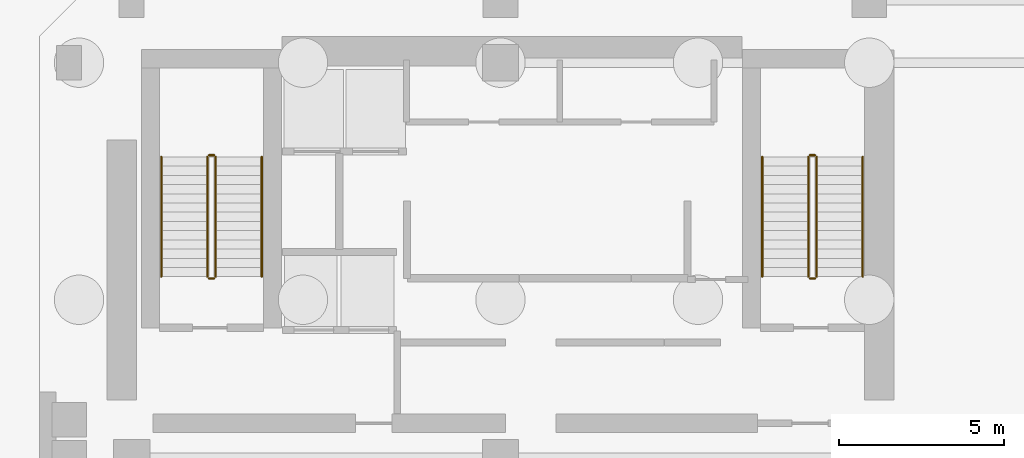
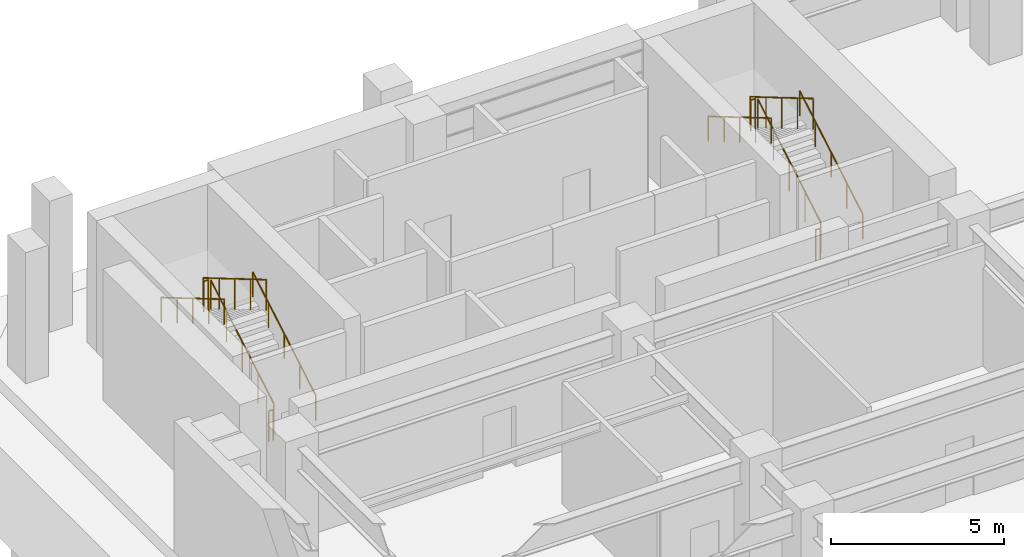
# One storey, part 12 of 13: 12 railings.
"""IFC4 building model written with IfcOpenShell, lengths in metres."""

from ifc_helpers import new_model, si_unit, direction, frame, origin, origin_2d, place, context, subcontext, project, spatial, circle, extrude, material, type_object, element, save


model = new_model("IFC4")

# Units and contexts
model_context = context("Model", 3, precision=1e-05, world=origin(), true_north=direction((0.0, 1.0)))
body_context = subcontext(model_context, "Body", "Model", "MODEL_VIEW")
ifc_project = project(units=[si_unit("LENGTHUNIT", "METRE"), si_unit("AREAUNIT", "SQUARE_METRE"), si_unit("VOLUMEUNIT", "CUBIC_METRE"), si_unit("PLANEANGLEUNIT", "RADIAN"), si_unit("MASSUNIT", "GRAM", prefix="KILO")], contexts=[model_context])

# Site, building, storey
site_placement = place(None, origin())
site = spatial("IfcSite", under=ifc_project, at=site_placement, CompositionType="ELEMENT")
building_placement = place(site_placement, origin())
building = spatial("IfcBuilding", under=site, at=building_placement, Name="Kefirva Bronze Tower", CompositionType="ELEMENT")
storey_placement = place(building_placement, frame((0.0, 0.0, -9.239990234375)))
storey = spatial("IfcBuildingStorey", under=building, at=storey_placement, Name="B2", CompositionType="ELEMENT", Elevation=-9.239990234375)

# Railings
ifc_material = material(Name="Stainless steel 316", Category="steel")
railing_type_1 = type_object("IfcRailingType", Name="Interior Stair Guardrail 1100mm", PredefinedType="GUARDRAIL", material=ifc_material)
railing_1_placement = place(storey_placement, frame((3.35009765625, 38.699951171875, 0.1650390625)))
element("IfcRailing", 1, at=railing_1_placement, inside=storey, type_object=railing_type_1, Name="B2 ST-1 stair guard 1", PredefinedType="GUARDRAIL", context=body_context, shape_type="SweptSolid", body=[
    extrude(circle(Radius=0.02392578125, at=origin_2d()), frame((0.0, 0.0, 1.076171875), z_axis=(0.0, 0.861544779993, 0.507681585313), x_axis=(-1.0, 0.0, 0.0)), (0.0, 0.0, 1.0), 4.22509765625),
    extrude(circle(Radius=0.02099609375, at=origin_2d()), origin(), (0.0, 0.0, 1.0), 1.052001953125),
    extrude(circle(Radius=0.02099609375, at=origin_2d()), frame((0.0, 0.91015625, 0.5361328125)), (0.0, 0.0, 1.0), 1.052001953125),
    extrude(circle(Radius=0.02099609375, at=origin_2d()), frame((0.0, 1.820068359375, 1.072509765625)), (0.0, 0.0, 1.0), 1.052001953125),
    extrude(circle(Radius=0.02099609375, at=origin_2d()), frame((0.0, 2.72998046875, 1.60888671875)), (0.0, 0.0, 1.0), 1.052001953125),
    extrude(circle(Radius=0.02099609375, at=origin_2d()), frame((0.0, 3.64013671875, 2.14501953125)), (0.0, 0.0, 1.0), 1.052001953125),
])
railing_2_placement = place(storey_placement, frame((3.300048828125, 42.389892578125, 2.31005859375)))
element("IfcRailing", 2, at=railing_2_placement, inside=storey, type_object=railing_type_1, Name="B2 ST-1 stair guard 2", PredefinedType="GUARDRAIL", context=body_context, shape_type="SweptSolid", body=[
    extrude(circle(Radius=0.02392578125, at=origin_2d()), frame((0.0, 0.0, 1.076171875), z_axis=(-1.0, 0.0, 0.0), x_axis=(0.0, -1.0, 0.0)), (0.0, 0.0, 1.0), 0.150146484375),
    extrude(circle(Radius=0.02099609375, at=origin_2d()), origin(), (0.0, 0.0, 1.0), 1.052001953125),
    extrude(circle(Radius=0.02099609375, at=origin_2d()), frame((-0.150146484375, 0.0, 0.0)), (0.0, 0.0, 1.0), 1.052001953125),
])
railing_3_placement = place(storey_placement, frame((3.10009765625, 42.340087890625, 2.47509765625)))
element("IfcRailing", 3, at=railing_3_placement, inside=storey, type_object=railing_type_1, Name="B2 ST-1 stair guard 3", PredefinedType="GUARDRAIL", context=body_context, shape_type="SweptSolid", body=[
    extrude(circle(Radius=0.02392578125, at=origin_2d()), frame((0.0, 0.0, 1.076171875), z_axis=(0.0, -0.861570053405, 0.507638693438), x_axis=(1.0, 0.0, 0.0)), (0.0, 0.0, 1.0), 4.22509765625),
    extrude(circle(Radius=0.02099609375, at=origin_2d()), origin(), (0.0, 0.0, 1.0), 1.052001953125),
    extrude(circle(Radius=0.02099609375, at=origin_2d()), frame((0.0, -0.91015625, 0.5361328125)), (0.0, 0.0, 1.0), 1.052001953125),
    extrude(circle(Radius=0.02099609375, at=origin_2d()), frame((0.0, -1.820068359375, 1.072265625)), (0.0, 0.0, 1.0), 1.052001953125),
    extrude(circle(Radius=0.02099609375, at=origin_2d()), frame((0.0, -2.72998046875, 1.608642578125)), (0.0, 0.0, 1.0), 1.052001953125),
    extrude(circle(Radius=0.02099609375, at=origin_2d()), frame((0.0, -3.64013671875, 2.144775390625)), (0.0, 0.0, 1.0), 1.052001953125),
])
railing_4_placement = place(storey_placement, frame((3.300048828125, 38.64990234375, 0.0)))
element("IfcRailing", 4, at=railing_4_placement, inside=storey, type_object=railing_type_1, Name="B2 ST-1 stair guard 4", PredefinedType="GUARDRAIL", context=body_context, shape_type="SweptSolid", body=[
    extrude(circle(Radius=0.02392578125, at=origin_2d()), frame((0.0, 0.0, 1.076171875), z_axis=(-1.0, 0.0, 0.0), x_axis=(0.0, -1.0, 0.0)), (0.0, 0.0, 1.0), 0.150146484375),
    extrude(circle(Radius=0.02099609375, at=origin_2d()), origin(), (0.0, 0.0, 1.0), 1.052001953125),
    extrude(circle(Radius=0.02099609375, at=origin_2d()), frame((-0.150146484375, 0.0, 0.0)), (0.0, 0.0, 1.0), 1.052001953125),
])
railing_5_placement = place(storey_placement, frame((21.60009765625, 38.699951171875, 0.1650390625)))
element("IfcRailing", 5, at=railing_5_placement, inside=storey, type_object=railing_type_1, Name="B2 ST-2 stair guard 1", PredefinedType="GUARDRAIL", context=body_context, shape_type="SweptSolid", body=[
    extrude(circle(Radius=0.02392578125, at=origin_2d()), frame((0.0, 0.0, 1.076171875), z_axis=(0.0, 0.861544779993, 0.507681585313), x_axis=(-1.0, 0.0, 0.0)), (0.0, 0.0, 1.0), 4.22509765625),
    extrude(circle(Radius=0.02099609375, at=origin_2d()), origin(), (0.0, 0.0, 1.0), 1.052001953125),
    extrude(circle(Radius=0.02099609375, at=origin_2d()), frame((0.0, 0.91015625, 0.5361328125)), (0.0, 0.0, 1.0), 1.052001953125),
    extrude(circle(Radius=0.02099609375, at=origin_2d()), frame((0.0, 1.820068359375, 1.072509765625)), (0.0, 0.0, 1.0), 1.052001953125),
    extrude(circle(Radius=0.02099609375, at=origin_2d()), frame((0.0, 2.72998046875, 1.60888671875)), (0.0, 0.0, 1.0), 1.052001953125),
    extrude(circle(Radius=0.02099609375, at=origin_2d()), frame((0.0, 3.64013671875, 2.14501953125)), (0.0, 0.0, 1.0), 1.052001953125),
])
railing_6_placement = place(storey_placement, frame((21.550048828125, 42.389892578125, 2.31005859375)))
element("IfcRailing", 6, at=railing_6_placement, inside=storey, type_object=railing_type_1, Name="B2 ST-2 stair guard 2", PredefinedType="GUARDRAIL", context=body_context, shape_type="SweptSolid", body=[
    extrude(circle(Radius=0.02392578125, at=origin_2d()), frame((0.0, 0.0, 1.076171875), z_axis=(-1.0, 0.0, 0.0), x_axis=(0.0, -1.0, 0.0)), (0.0, 0.0, 1.0), 0.150146484375),
    extrude(circle(Radius=0.02099609375, at=origin_2d()), origin(), (0.0, 0.0, 1.0), 1.052001953125),
    extrude(circle(Radius=0.02099609375, at=origin_2d()), frame((-0.150146484375, 0.0, 0.0)), (0.0, 0.0, 1.0), 1.052001953125),
])
railing_7_placement = place(storey_placement, frame((21.35009765625, 42.340087890625, 2.47509765625)))
element("IfcRailing", 7, at=railing_7_placement, inside=storey, type_object=railing_type_1, Name="B2 ST-2 stair guard 3", PredefinedType="GUARDRAIL", context=body_context, shape_type="SweptSolid", body=[
    extrude(circle(Radius=0.02392578125, at=origin_2d()), frame((0.0, 0.0, 1.076171875), z_axis=(0.0, -0.861570053405, 0.507638693438), x_axis=(1.0, 0.0, 0.0)), (0.0, 0.0, 1.0), 4.22509765625),
    extrude(circle(Radius=0.02099609375, at=origin_2d()), origin(), (0.0, 0.0, 1.0), 1.052001953125),
    extrude(circle(Radius=0.02099609375, at=origin_2d()), frame((0.0, -0.91015625, 0.5361328125)), (0.0, 0.0, 1.0), 1.052001953125),
    extrude(circle(Radius=0.02099609375, at=origin_2d()), frame((0.0, -1.820068359375, 1.072265625)), (0.0, 0.0, 1.0), 1.052001953125),
    extrude(circle(Radius=0.02099609375, at=origin_2d()), frame((0.0, -2.72998046875, 1.608642578125)), (0.0, 0.0, 1.0), 1.052001953125),
    extrude(circle(Radius=0.02099609375, at=origin_2d()), frame((0.0, -3.64013671875, 2.144775390625)), (0.0, 0.0, 1.0), 1.052001953125),
])
railing_8_placement = place(storey_placement, frame((21.550048828125, 38.64990234375, 0.0)))
element("IfcRailing", 8, at=railing_8_placement, inside=storey, type_object=railing_type_1, Name="B2 ST-2 stair guard 4", PredefinedType="GUARDRAIL", context=body_context, shape_type="SweptSolid", body=[
    extrude(circle(Radius=0.02392578125, at=origin_2d()), frame((0.0, 0.0, 1.076171875), z_axis=(-1.0, 0.0, 0.0), x_axis=(0.0, -1.0, 0.0)), (0.0, 0.0, 1.0), 0.150146484375),
    extrude(circle(Radius=0.02099609375, at=origin_2d()), origin(), (0.0, 0.0, 1.0), 1.052001953125),
    extrude(circle(Radius=0.02099609375, at=origin_2d()), frame((-0.150146484375, 0.0, 0.0)), (0.0, 0.0, 1.0), 1.052001953125),
])
railing_type_2 = type_object("IfcRailingType", Name="Stair Pitch Handrail 900mm", PredefinedType="HANDRAIL", material=ifc_material)
railing_9_placement = place(storey_placement, frame((4.75, 38.699951171875, 0.1650390625)))
element("IfcRailing", 9, at=railing_9_placement, inside=storey, type_object=railing_type_2, Name="B2 ST-1 stair handrail 1", PredefinedType="HANDRAIL", context=body_context, shape_type="SweptSolid", body=[
    extrude(circle(Radius=0.02392578125, at=origin_2d()), frame((0.0, 0.0, 0.8759765625), z_axis=(0.0, 0.861544779993, 0.507681585313), x_axis=(-1.0, 0.0, 0.0)), (0.0, 0.0, 1.0), 4.22509765625),
    extrude(circle(Radius=0.02099609375, at=origin_2d()), origin(), (0.0, 0.0, 1.0), 0.851806640625),
    extrude(circle(Radius=0.02099609375, at=origin_2d()), frame((0.0, 0.91015625, 0.5361328125)), (0.0, 0.0, 1.0), 0.851806640625),
    extrude(circle(Radius=0.02099609375, at=origin_2d()), frame((0.0, 1.820068359375, 1.072509765625)), (0.0, 0.0, 1.0), 0.851806640625),
    extrude(circle(Radius=0.02099609375, at=origin_2d()), frame((0.0, 2.72998046875, 1.60888671875)), (0.0, 0.0, 1.0), 0.851806640625),
    extrude(circle(Radius=0.02099609375, at=origin_2d()), frame((0.0, 3.64013671875, 2.14501953125)), (0.0, 0.0, 1.0), 0.851806640625),
])
railing_10_placement = place(storey_placement, frame((1.699951171875, 42.340087890625, 2.47509765625)))
element("IfcRailing", 10, at=railing_10_placement, inside=storey, type_object=railing_type_2, Name="B2 ST-1 stair handrail 2", PredefinedType="HANDRAIL", context=body_context, shape_type="SweptSolid", body=[
    extrude(circle(Radius=0.02392578125, at=origin_2d()), frame((0.0, 0.0, 0.8759765625), z_axis=(0.0, -0.861570053405, 0.507638693438), x_axis=(1.0, 0.0, 0.0)), (0.0, 0.0, 1.0), 4.22509765625),
    extrude(circle(Radius=0.02099609375, at=origin_2d()), origin(), (0.0, 0.0, 1.0), 0.851806640625),
    extrude(circle(Radius=0.02099609375, at=origin_2d()), frame((0.0, -0.91015625, 0.5361328125)), (0.0, 0.0, 1.0), 0.851806640625),
    extrude(circle(Radius=0.02099609375, at=origin_2d()), frame((0.0, -1.820068359375, 1.072265625)), (0.0, 0.0, 1.0), 0.851806640625),
    extrude(circle(Radius=0.02099609375, at=origin_2d()), frame((0.0, -2.72998046875, 1.608642578125)), (0.0, 0.0, 1.0), 0.851806640625),
    extrude(circle(Radius=0.02099609375, at=origin_2d()), frame((0.0, -3.64013671875, 2.144775390625)), (0.0, 0.0, 1.0), 0.851806640625),
])
railing_11_placement = place(storey_placement, frame((23.0, 38.699951171875, 0.1650390625)))
element("IfcRailing", 11, at=railing_11_placement, inside=storey, type_object=railing_type_2, Name="B2 ST-2 stair handrail 1", PredefinedType="HANDRAIL", context=body_context, shape_type="SweptSolid", body=[
    extrude(circle(Radius=0.02392578125, at=origin_2d()), frame((0.0, 0.0, 0.8759765625), z_axis=(0.0, 0.861544779993, 0.507681585313), x_axis=(-1.0, 0.0, 0.0)), (0.0, 0.0, 1.0), 4.22509765625),
    extrude(circle(Radius=0.02099609375, at=origin_2d()), origin(), (0.0, 0.0, 1.0), 0.851806640625),
    extrude(circle(Radius=0.02099609375, at=origin_2d()), frame((0.0, 0.91015625, 0.5361328125)), (0.0, 0.0, 1.0), 0.851806640625),
    extrude(circle(Radius=0.02099609375, at=origin_2d()), frame((0.0, 1.820068359375, 1.072509765625)), (0.0, 0.0, 1.0), 0.851806640625),
    extrude(circle(Radius=0.02099609375, at=origin_2d()), frame((0.0, 2.72998046875, 1.60888671875)), (0.0, 0.0, 1.0), 0.851806640625),
    extrude(circle(Radius=0.02099609375, at=origin_2d()), frame((0.0, 3.64013671875, 2.14501953125)), (0.0, 0.0, 1.0), 0.851806640625),
])
railing_12_placement = place(storey_placement, frame((19.949951171875, 42.340087890625, 2.47509765625)))
element("IfcRailing", 12, at=railing_12_placement, inside=storey, type_object=railing_type_2, Name="B2 ST-2 stair handrail 2", PredefinedType="HANDRAIL", context=body_context, shape_type="SweptSolid", body=[
    extrude(circle(Radius=0.02392578125, at=origin_2d()), frame((0.0, 0.0, 0.8759765625), z_axis=(0.0, -0.861570053405, 0.507638693438), x_axis=(1.0, 0.0, 0.0)), (0.0, 0.0, 1.0), 4.22509765625),
    extrude(circle(Radius=0.02099609375, at=origin_2d()), origin(), (0.0, 0.0, 1.0), 0.851806640625),
    extrude(circle(Radius=0.02099609375, at=origin_2d()), frame((0.0, -0.91015625, 0.5361328125)), (0.0, 0.0, 1.0), 0.851806640625),
    extrude(circle(Radius=0.02099609375, at=origin_2d()), frame((0.0, -1.820068359375, 1.072265625)), (0.0, 0.0, 1.0), 0.851806640625),
    extrude(circle(Radius=0.02099609375, at=origin_2d()), frame((0.0, -2.72998046875, 1.608642578125)), (0.0, 0.0, 1.0), 0.851806640625),
    extrude(circle(Radius=0.02099609375, at=origin_2d()), frame((0.0, -3.64013671875, 2.144775390625)), (0.0, 0.0, 1.0), 0.851806640625),
])

save(model, "model.ifc")
